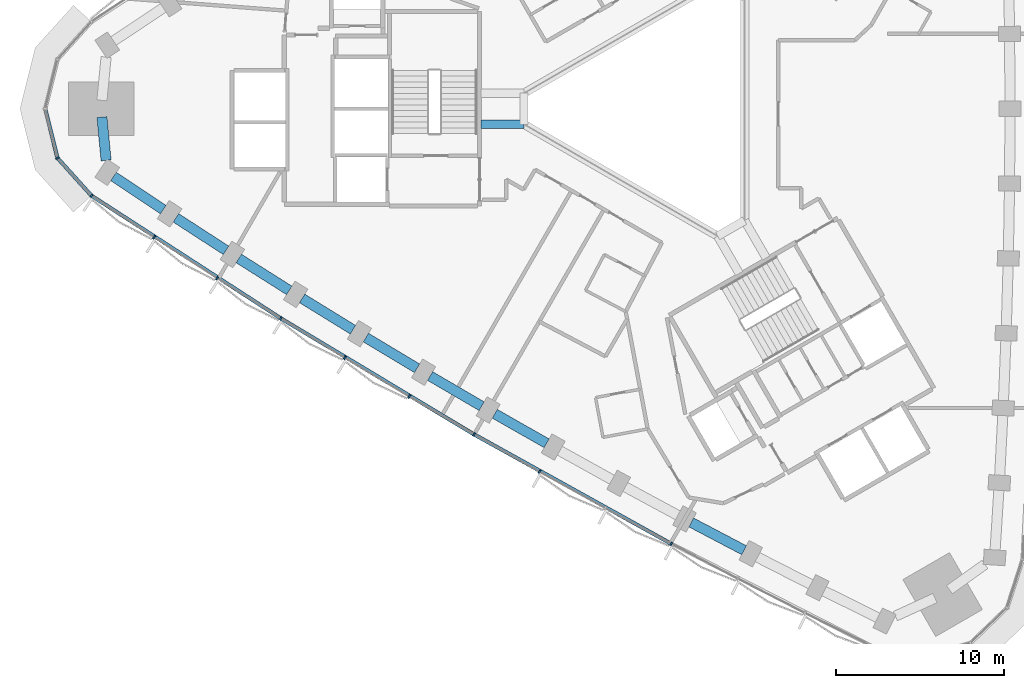
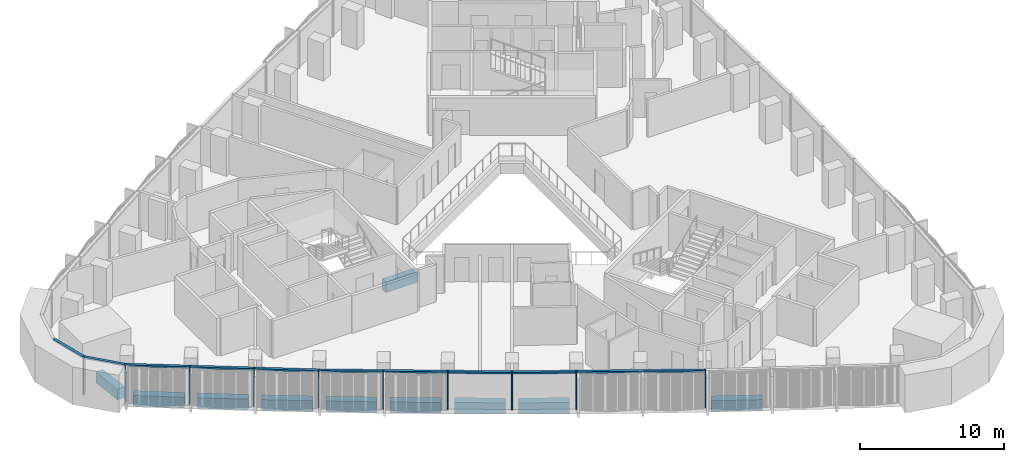
# One storey, part 2 of 15: 15 members, 10 beams, 2 elements without a shape of their own.
"""IFC4 building model written with IfcOpenShell, lengths in metres."""

from ifc_helpers import new_model, si_unit, direction, frame, origin, origin_2d, place, context, subcontext, project, spatial, rectangle, extrude, material, material_profile, profile_set, type_object, element, aggregate, save


model = new_model("IFC4")

# Units and contexts
model_context = context("Model", 3, precision=1e-05, world=origin(), true_north=direction((0.0, 1.0)))
body_context = subcontext(model_context, "Body", "Model", "MODEL_VIEW")
ifc_project = project(units=[si_unit("LENGTHUNIT", "METRE"), si_unit("AREAUNIT", "SQUARE_METRE"), si_unit("VOLUMEUNIT", "CUBIC_METRE"), si_unit("PLANEANGLEUNIT", "RADIAN"), si_unit("MASSUNIT", "GRAM", prefix="KILO")], contexts=[model_context])

# Site, building, storey
site_placement = place(None, origin())
site = spatial("IfcSite", under=ifc_project, at=site_placement, CompositionType="ELEMENT")
building_placement = place(site_placement, origin())
building = spatial("IfcBuilding", under=site, at=building_placement, Name="Tamra Quay Hotel Tower", CompositionType="ELEMENT")
storey_placement = place(building_placement, frame((0.0, 0.0, 86.60009765625)))
storey = spatial("IfcBuildingStorey", under=building, at=storey_placement, Name="L20", CompositionType="ELEMENT", Elevation=86.60009765625)

# Beam
ifc_material_1 = material(Name="Concrete M60", Category="concrete")
ifc_material_profile_1 = material_profile(ifc_material_1, rectangle(XDim=0.5, YDim=0.89990234375, at=origin_2d()), Name="ATRIUM TIE BEAM RC 500x900")
ifc_profile_set_1 = profile_set([ifc_material_profile_1], Name="Concrete M60")
beam_type_1 = type_object("IfcBeamType", Name="ATRIUM TIE BEAM RC 500x900", PredefinedType="BEAM", material=ifc_profile_set_1)
beam_1_placement = place(storey_placement, frame((-8.199951171875, -0.923828125, -0.875), z_axis=(-1.0, 0.0, 0.0), x_axis=(0.0, -1.0, 0.0)))
element("IfcBeam", 1, at=beam_1_placement, inside=storey, type_object=beam_type_1, Name="BM-TIE-3-L20", PredefinedType="BEAM", context=body_context, shape_type="SweptSolid", body=[
    extrude(rectangle(XDim=0.5, YDim=0.89990234375, at=origin_2d()), origin(), (0.0, 0.0, 1.0), 2.562255859375),
])

# Curtain wall, member
ifc_material_2 = material(Name="Aluminium 6063 anodised dark grey", Category="aluminium")
curtain_wall_type_1 = type_object("IfcCurtainWallType", Name="CW2 CURTAIN WALL", PredefinedType="NOTDEFINED", material=ifc_material_2)
curtain_wall_1_placement = place(storey_placement, origin())
curtain_wall_1 = element("IfcCurtainWall", 2, at=curtain_wall_1_placement, inside=storey, type_object=curtain_wall_type_1, Name="CW2 north-west face L20", PredefinedType="NOTDEFINED")
ifc_material_profile_2 = material_profile(ifc_material_2, rectangle(XDim=0.219970703125, YDim=0.10009765625, at=origin_2d()), Name="MULLION 100X220")
ifc_profile_set_2 = profile_set([ifc_material_profile_2], Name="Aluminium 6063 anodised dark grey")
member_type_1 = type_object("IfcMemberType", Name="MULLION CW2 Z2", PredefinedType="MULLION", material=ifc_profile_set_2)
member_1_placement = place(storey_placement, frame((-35.90673828125, -2.9267578125, 0.0), z_axis=(0.0, 0.0, 1.0), x_axis=(-0.882543846683, -0.47023011248, 0.0)))
member_1 = element("IfcMember", 3, at=member_1_placement, type_object=member_type_1, Name="CW2 mullion L20.NW.16", PredefinedType="MULLION", context=body_context, shape_type="SweptSolid", body=[
    extrude(rectangle(XDim=0.219970703125, YDim=0.10009765625, at=origin_2d()), origin(), (0.0, 0.0, 1.0), 3.1748046875),
])

# Curtain wall, members
curtain_wall_type_2 = type_object("IfcCurtainWallType", Name="CW3 CURTAIN WALL", PredefinedType="NOTDEFINED", material=ifc_material_2)
curtain_wall_2_placement = place(storey_placement, origin())
curtain_wall_2 = element("IfcCurtainWall", 4, at=curtain_wall_2_placement, inside=storey, type_object=curtain_wall_type_2, Name="CW3 south-west face L20", PredefinedType="NOTDEFINED")
ifc_material_profile_3 = material_profile(ifc_material_2, rectangle(XDim=0.219970703125, YDim=0.10009765625, at=origin_2d()), Name="MULLION 100X220")
ifc_profile_set_3 = profile_set([ifc_material_profile_3], Name="Aluminium 6063 anodised dark grey")
member_type_2 = type_object("IfcMemberType", Name="MULLION CW3 Z2", PredefinedType="MULLION", material=ifc_profile_set_3)
member_2_placement = place(storey_placement, frame((-33.88525390625, -5.166015625, 0.0), z_axis=(0.0, 0.0, 1.0), x_axis=(-0.652886907072, -0.757455402366, 0.0)))
member_2 = element("IfcMember", 5, at=member_2_placement, type_object=member_type_2, Name="CW3 mullion L20.SW.1", PredefinedType="MULLION", context=body_context, shape_type="SweptSolid", body=[
    extrude(rectangle(XDim=0.219970703125, YDim=0.10009765625, at=origin_2d()), origin(), (0.0, 0.0, 1.0), 3.1748046875),
])
member_3_placement = place(storey_placement, frame((-30.167236328125, -7.635498046875, 0.0), z_axis=(0.0, 0.0, 1.0), x_axis=(-0.548547395815, -0.836119461886, 0.0)))
member_3 = element("IfcMember", 6, at=member_3_placement, type_object=member_type_2, Name="CW3 mullion L20.SW.2", PredefinedType="MULLION", context=body_context, shape_type="SweptSolid", body=[
    extrude(rectangle(XDim=0.219970703125, YDim=0.10009765625, at=origin_2d()), origin(), (0.0, 0.0, 1.0), 3.1748046875),
])
member_4_placement = place(storey_placement, frame((-26.4208984375, -10.06298828125, 0.0), z_axis=(0.0, 0.0, 1.0), x_axis=(-0.538998382955, -0.842306798721, 0.0)))
member_4 = element("IfcMember", 7, at=member_4_placement, type_object=member_type_2, Name="CW3 mullion L20.SW.3", PredefinedType="MULLION", context=body_context, shape_type="SweptSolid", body=[
    extrude(rectangle(XDim=0.219970703125, YDim=0.10009765625, at=origin_2d()), origin(), (0.0, 0.0, 1.0), 3.1748046875),
])
member_5_placement = place(storey_placement, frame((-22.647216796875, -12.447509765625, 0.0), z_axis=(0.0, 0.0, 1.0), x_axis=(-0.529364244047, -0.848394658826, 0.0)))
member_5 = element("IfcMember", 8, at=member_5_placement, type_object=member_type_2, Name="CW3 mullion L20.SW.4", PredefinedType="MULLION", context=body_context, shape_type="SweptSolid", body=[
    extrude(rectangle(XDim=0.219970703125, YDim=0.10009765625, at=origin_2d()), origin(), (0.0, 0.0, 1.0), 3.1748046875),
])
member_6_placement = place(storey_placement, frame((-18.8466796875, -14.7890625, 0.0), z_axis=(0.0, 0.0, 1.0), x_axis=(-0.519649964402, -0.854379256827, 0.0)))
member_6 = element("IfcMember", 9, at=member_6_placement, type_object=member_type_2, Name="CW3 mullion L20.SW.5", PredefinedType="MULLION", context=body_context, shape_type="SweptSolid", body=[
    extrude(rectangle(XDim=0.219970703125, YDim=0.10009765625, at=origin_2d()), origin(), (0.0, 0.0, 1.0), 3.1748046875),
])
member_7_placement = place(storey_placement, frame((-15.01953125, -17.0869140625, 0.0), z_axis=(0.0, 0.0, 1.0), x_axis=(-0.50986039475, -0.860257157985, 0.0)))
member_7 = element("IfcMember", 10, at=member_7_placement, type_object=member_type_2, Name="CW3 mullion L20.SW.6", PredefinedType="MULLION", context=body_context, shape_type="SweptSolid", body=[
    extrude(rectangle(XDim=0.219970703125, YDim=0.10009765625, at=origin_2d()), origin(), (0.0, 0.0, 1.0), 3.1748046875),
])
member_8_placement = place(storey_placement, frame((-11.16650390625, -19.3408203125, 0.0), z_axis=(0.0, 0.0, 1.0), x_axis=(-0.5, -0.866025403784, 0.0)))
member_8 = element("IfcMember", 11, at=member_8_placement, type_object=member_type_2, Name="CW3 mullion L20.SW.7", PredefinedType="MULLION", context=body_context, shape_type="SweptSolid", body=[
    extrude(rectangle(XDim=0.219970703125, YDim=0.10009765625, at=origin_2d()), origin(), (0.0, 0.0, 1.0), 3.1748046875),
])
member_9_placement = place(storey_placement, frame((-7.287841796875, -21.55078125, 0.0), z_axis=(0.0, 0.0, 1.0), x_axis=(-0.490074355228, -0.87168063323, 0.0)))
member_9 = element("IfcMember", 12, at=member_9_placement, type_object=member_type_2, Name="CW3 mullion L20.SW.8", PredefinedType="MULLION", context=body_context, shape_type="SweptSolid", body=[
    extrude(rectangle(XDim=0.219970703125, YDim=0.10009765625, at=origin_2d()), origin(), (0.0, 0.0, 1.0), 3.1748046875),
])
member_10_placement = place(storey_placement, frame((0.543701171875, -25.8369140625, 0.0), z_axis=(0.0, 0.0, 1.0), x_axis=(-0.470049204955, -0.882640212613, 0.0)))
member_10 = element("IfcMember", 13, at=member_10_placement, type_object=member_type_2, Name="CW3 mullion L20.SW.10", PredefinedType="MULLION", context=body_context, shape_type="SweptSolid", body=[
    extrude(rectangle(XDim=0.219970703125, YDim=0.10009765625, at=origin_2d()), origin(), (0.0, 0.0, 1.0), 3.1748046875),
])

# Beams
ifc_material_profile_4 = material_profile(ifc_material_1, rectangle(XDim=0.60009765625, YDim=0.89990234375, at=origin_2d()), Name="SPANDREL BEAM RC 600x900")
ifc_profile_set_4 = profile_set([ifc_material_profile_4], Name="Concrete M60")
beam_type_2 = type_object("IfcBeamType", Name="SPANDREL BEAM RC 600x900", PredefinedType="SPANDREL", material=ifc_profile_set_4)
beam_2_placement = place(storey_placement, frame((-33.26611328125, -0.497802734375, -0.875), z_axis=(0.09550001445, -0.995429428558, 0.0), x_axis=(0.995429428558, 0.09550001445, 0.0)))
element("IfcBeam", 14, at=beam_2_placement, inside=storey, type_object=beam_type_2, Name="BM-SP2-027-L20", PredefinedType="SPANDREL", context=body_context, shape_type="SweptSolid", body=[
    extrude(rectangle(XDim=0.60009765625, YDim=0.89990234375, at=origin_2d()), origin(), (0.0, 0.0, 1.0), 2.58447265625),
])
beam_3_placement = place(storey_placement, frame((-32.57666015625, -4.025390625, -0.875), z_axis=(0.832981511469, -0.55330082374, 0.0), x_axis=(0.55330082374, 0.832981511469, 0.0)))
element("IfcBeam", 15, at=beam_3_placement, inside=storey, type_object=beam_type_2, Name="BM-SP2-028-L20", PredefinedType="SPANDREL", context=body_context, shape_type="SweptSolid", body=[
    extrude(rectangle(XDim=0.60009765625, YDim=0.89990234375, at=origin_2d()), origin(), (0.0, 0.0, 1.0), 3.544921875),
])
beam_4_placement = place(storey_placement, frame((-28.87109375, -6.480712890625, -0.875), z_axis=(0.839237385713, -0.543765216266, 0.0), x_axis=(0.543765216266, 0.839237385713, 0.0)))
element("IfcBeam", 16, at=beam_4_placement, inside=storey, type_object=beam_type_2, Name="BM-SP2-029-L20", PredefinedType="SPANDREL", context=body_context, shape_type="SweptSolid", body=[
    extrude(rectangle(XDim=0.60009765625, YDim=0.89990234375, at=origin_2d()), origin(), (0.0, 0.0, 1.0), 3.544677734375),
])
for number, where, z_axis, x_axis, name in (
    (17, (-25.13818359375, -8.893310546875, -0.875), (0.845333394052, -0.534239134566, 0.0), (0.534239134566, 0.845333394052, 0.0), "BM-SP2-030-L20"),
    (18, (-21.3779296875, -11.263427734375, -0.875), (0.851393361846, -0.524527733685, 0.0), (0.524527733685, 0.851393361846, 0.0), "BM-SP2-031-L20"),
):
    element("IfcBeam", number, at=place(storey_placement, frame(where, z_axis=z_axis, x_axis=x_axis)), inside=storey, type_object=beam_type_2, Name=name, PredefinedType="SPANDREL", context=body_context, shape_type="SweptSolid", body=[
        extrude(rectangle(XDim=0.60009765625, YDim=0.89990234375, at=origin_2d()), origin(), (0.0, 0.0, 1.0), 3.544921875),
    ])
for number, where, z_axis, x_axis, name in (
    (19, (-17.5908203125, -13.59033203125, -0.875), (0.857286231776, -0.514840088578, 0.0), (0.514840088578, 0.857286231776, 0.0), "BM-SP2-032-L20"),
    (20, (-13.777587890625, -15.8740234375, -0.875), (0.863128698129, -0.504984010109, 0.0), (0.504984010109, 0.863128698129, 0.0), "BM-SP2-033-L20"),
):
    element("IfcBeam", number, at=place(storey_placement, frame(where, z_axis=z_axis, x_axis=x_axis)), inside=storey, type_object=beam_type_2, Name=name, PredefinedType="SPANDREL", context=body_context, shape_type="SweptSolid", body=[
        extrude(rectangle(XDim=0.60009765625, YDim=0.89990234375, at=origin_2d()), origin(), (0.0, 0.0, 1.0), 3.544677734375),
    ])
beam_5_placement = place(storey_placement, frame((-9.9384765625, -18.114013671875, -0.875), z_axis=(0.868869699181, -0.495040852704, 0.0), x_axis=(0.495040852704, 0.868869699181, 0.0)))
element("IfcBeam", 21, at=beam_5_placement, inside=storey, type_object=beam_type_2, Name="BM-SP2-034-L20", PredefinedType="SPANDREL", context=body_context, shape_type="SweptSolid", body=[
    extrude(rectangle(XDim=0.60009765625, YDim=0.89990234375, at=origin_2d()), origin(), (0.0, 0.0, 1.0), 3.544921875),
])
beam_6_placement = place(storey_placement, frame((1.72900390625, -24.568603515625, -0.875), z_axis=(0.885322773021, -0.464976975312, 0.0), x_axis=(0.464976975312, 0.885322773021, 0.0)))
element("IfcBeam", 22, at=beam_6_placement, inside=storey, type_object=beam_type_2, Name="BM-SP2-037-L20", PredefinedType="SPANDREL", context=body_context, shape_type="SweptSolid", body=[
    extrude(rectangle(XDim=0.60009765625, YDim=0.89990234375, at=origin_2d()), origin(), (0.0, 0.0, 1.0), 3.544677734375),
])

# Member
ifc_material_profile_5 = material_profile(ifc_material_2, rectangle(XDim=0.219970703125, YDim=0.139892578125, at=origin_2d()), Name="TRANSOM 220X140")
ifc_profile_set_5 = profile_set([ifc_material_profile_5], Name="Aluminium 6063 anodised dark grey")
member_type_3 = type_object("IfcMemberType", Name="TRANSOM CW2 Z2", PredefinedType="USERDEFINED", material=ifc_profile_set_5)
member_11_placement = place(storey_placement, frame((-36.62548828125, -0.048583984375, 3.10498046875), z_axis=(0.242338656789, -0.970191720963, 0.0), x_axis=(0.970191720963, 0.242338656789, 0.0)))
member_11 = element("IfcMember", 23, at=member_11_placement, type_object=member_type_3, Name="CW2 transom L20.NW.15", ObjectType="TRANSOM", PredefinedType="USERDEFINED", context=body_context, shape_type="SweptSolid", body=[
    extrude(rectangle(XDim=0.219970703125, YDim=0.139892578125, at=origin_2d()), origin(), (0.0, 0.0, 1.0), 2.91650390625),
])

member_12_placement = place(storey_placement, frame((-35.873046875, -2.9638671875, 3.10498046875), z_axis=(0.670064659649, -0.742302736011, 0.0), x_axis=(0.742302736011, 0.670064659649, 0.0)))
member_12 = element("IfcMember", 24, at=member_12_placement, type_object=member_type_3, Name="CW2 transom L20.NW.16", ObjectType="TRANSOM", PredefinedType="USERDEFINED", context=body_context, shape_type="SweptSolid", body=[
    extrude(rectangle(XDim=0.219970703125, YDim=0.139892578125, at=origin_2d()), origin(), (0.0, 0.0, 1.0), 2.916748046875),
])

aggregate(curtain_wall_1, [member_11, member_1, member_12])

ifc_material_profile_6 = material_profile(ifc_material_2, rectangle(XDim=0.219970703125, YDim=0.139892578125, at=origin_2d()), Name="TRANSOM 220X140")
ifc_profile_set_6 = profile_set([ifc_material_profile_6], Name="Aluminium 6063 anodised dark grey")
member_type_4 = type_object("IfcMemberType", Name="TRANSOM CW3 Z2", PredefinedType="USERDEFINED", material=ifc_profile_set_6)
member_13_placement = place(storey_placement, frame((-33.843505859375, -5.193603515625, 3.10498046875), z_axis=(0.839227967527, -0.543779751849, 0.0), x_axis=(0.543779751849, 0.839227967527, 0.0)))
member_13 = element("IfcMember", 25, at=member_13_placement, type_object=member_type_4, Name="CW3 transom L20.SW.1", ObjectType="TRANSOM", PredefinedType="USERDEFINED", context=body_context, shape_type="SweptSolid", body=[
    extrude(rectangle(XDim=0.219970703125, YDim=0.139892578125, at=origin_2d()), origin(), (0.0, 0.0, 1.0), 13.290771484375),
])

member_14_placement = place(storey_placement, frame((-22.604736328125, -12.473876953125, 3.10498046875), z_axis=(0.857334050853, -0.514760454238, 0.0), x_axis=(0.514760454238, 0.857334050853, 0.0)))
member_14 = element("IfcMember", 26, at=member_14_placement, type_object=member_type_4, Name="CW3 transom L20.SW.4", ObjectType="TRANSOM", PredefinedType="USERDEFINED", context=body_context, shape_type="SweptSolid", body=[
    extrude(rectangle(XDim=0.219970703125, YDim=0.139892578125, at=origin_2d()), origin(), (0.0, 0.0, 1.0), 13.291259765625),
])

member_15_placement = place(storey_placement, frame((-11.123046875, -19.36572265625, 3.10498046875), z_axis=(0.874463819192, -0.48509074298, 0.0), x_axis=(0.48509074298, 0.874463819192, 0.0)))
member_15 = element("IfcMember", 27, at=member_15_placement, type_object=member_type_4, Name="CW3 transom L20.SW.7", ObjectType="TRANSOM", PredefinedType="USERDEFINED", context=body_context, shape_type="SweptSolid", body=[
    extrude(rectangle(XDim=0.219970703125, YDim=0.139892578125, at=origin_2d()), origin(), (0.0, 0.0, 1.0), 13.291259765625),
])

aggregate(curtain_wall_2, [member_2, member_13, member_3, member_4, member_5, member_14, member_6, member_7, member_8, member_15, member_9, member_10])

save(model, "model.ifc")
